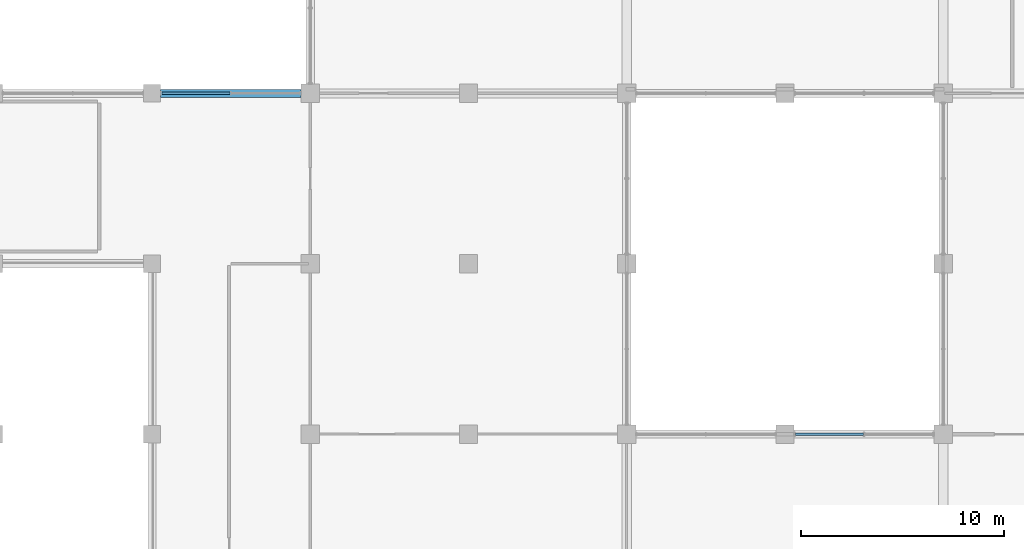
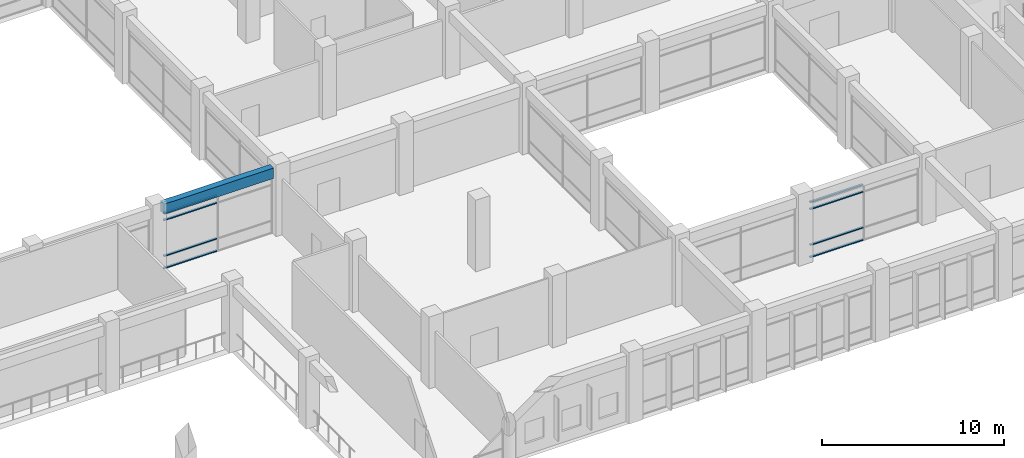
# One storey, part 22 of 79: 8 members, 1 beam, 2 elements without a shape of their own.
"""IFC4 building model written with IfcOpenShell, lengths in metres."""

from ifc_helpers import new_model, si_unit, direction, frame, origin, origin_2d, place, context, subcontext, project, spatial, rectangle, hollow_rectangle, extrude, material, material_profile, profile_set, type_object, element, aggregate, save


model = new_model("IFC4")

# Units and contexts
model_context = context("Model", 3, precision=1e-05, world=origin(), true_north=direction((0.0, 1.0)))
body_context = subcontext(model_context, "Body", "Model", "MODEL_VIEW")
ifc_project = project(units=[si_unit("LENGTHUNIT", "METRE"), si_unit("AREAUNIT", "SQUARE_METRE"), si_unit("VOLUMEUNIT", "CUBIC_METRE"), si_unit("PLANEANGLEUNIT", "RADIAN"), si_unit("MASSUNIT", "GRAM", prefix="KILO"), si_unit("THERMODYNAMICTEMPERATUREUNIT", "KELVIN"), si_unit("POWERUNIT", "WATT")], contexts=[model_context])

# Site, building, storey
site_placement = place(None, origin())
site = spatial("IfcSite", under=ifc_project, at=site_placement, CompositionType="ELEMENT")
building_placement = place(site_placement, origin())
building = spatial("IfcBuilding", under=site, at=building_placement, Name="Srebrne Nadtorze General Hospital", CompositionType="ELEMENT")
storey_placement = place(building_placement, frame((0.0, 0.0, 4.800048828125)))
storey = spatial("IfcBuildingStorey", under=building, at=storey_placement, Name="L01", CompositionType="ELEMENT", Elevation=4.800048828125)

# Curtain wall, members
ifc_material_1 = material(Name="Anodised Aluminium", Category="aluminium")
curtain_wall_type_1 = type_object("IfcCurtainWallType", Name="Unitised curtain wall 6900x3750", PredefinedType="NOTDEFINED", material=ifc_material_1)
curtain_wall_1_placement = place(storey_placement, origin())
curtain_wall_1 = element("IfcCurtainWall", 1, at=curtain_wall_1_placement, inside=storey, type_object=curtain_wall_type_1, Name="Curtain wall CW-041", PredefinedType="NOTDEFINED")
ifc_material_2 = material(Name="Anodised Aluminium", Category="aluminium")
ifc_material_profile_1 = material_profile(ifc_material_2, hollow_rectangle(XDim=0.06494140625, YDim=0.139892578125, WallThickness=0.00390625, at=origin_2d()), Name="AL-TRN-65x140")
ifc_profile_set_1 = profile_set([ifc_material_profile_1], Name="Anodised Aluminium")
member_type = type_object("IfcMemberType", Name="Curtain transom 65x140", PredefinedType="USERDEFINED", material=ifc_profile_set_1)
member_1_placement = place(storey_placement, frame((125.31494140625, 8.39990234375, 0.032470703125), z_axis=(1.0, 0.0, 0.0), x_axis=(0.0, 0.0, 1.0)))
member_1 = element("IfcMember", 2, at=member_1_placement, type_object=member_type, Name="CW-041 transom 1.1", ObjectType="TRANSOM", PredefinedType="USERDEFINED", context=body_context, shape_type="SweptSolid", body=[
    extrude(hollow_rectangle(XDim=0.06494140625, YDim=0.139892578125, WallThickness=0.00390625, at=origin_2d()), origin(), (0.0, 0.0, 1.0), 3.3525390625),
])
member_2_placement = place(storey_placement, frame((125.31494140625, 8.39990234375, 0.849853515625), z_axis=(1.0, 0.0, 0.0), x_axis=(0.0, 0.0, 1.0)))
member_2 = element("IfcMember", 3, at=member_2_placement, type_object=member_type, Name="CW-041 transom 1.2", ObjectType="TRANSOM", PredefinedType="USERDEFINED", context=body_context, shape_type="SweptSolid", body=[
    extrude(hollow_rectangle(XDim=0.06494140625, YDim=0.139892578125, WallThickness=0.00390625, at=origin_2d()), origin(), (0.0, 0.0, 1.0), 3.3525390625),
])
member_3_placement = place(storey_placement, frame((125.31494140625, 8.39990234375, 3.25), z_axis=(1.0, 0.0, 0.0), x_axis=(0.0, 0.0, 1.0)))
member_3 = element("IfcMember", 4, at=member_3_placement, type_object=member_type, Name="CW-041 transom 1.3", ObjectType="TRANSOM", PredefinedType="USERDEFINED", context=body_context, shape_type="SweptSolid", body=[
    extrude(hollow_rectangle(XDim=0.06494140625, YDim=0.139892578125, WallThickness=0.00390625, at=origin_2d()), origin(), (0.0, 0.0, 1.0), 3.3525390625),
])
member_4_placement = place(storey_placement, frame((125.31494140625, 8.39990234375, 3.717529296875), z_axis=(1.0, 0.0, 0.0), x_axis=(0.0, 0.0, 1.0)))
member_4 = element("IfcMember", 5, at=member_4_placement, type_object=member_type, Name="CW-041 transom 1.4", ObjectType="TRANSOM", PredefinedType="USERDEFINED", context=body_context, shape_type="SweptSolid", body=[
    extrude(hollow_rectangle(XDim=0.06494140625, YDim=0.139892578125, WallThickness=0.00390625, at=origin_2d()), origin(), (0.0, 0.0, 1.0), 3.3525390625),
])
aggregate(curtain_wall_1, [member_1, member_2, member_3, member_4])

ifc_material_3 = material(Name="Anodised Aluminium", Category="aluminium")
curtain_wall_type_2 = type_object("IfcCurtainWallType", Name="Unitised curtain wall 6925x3750", PredefinedType="NOTDEFINED", material=ifc_material_3)
curtain_wall_2_placement = place(storey_placement, origin())
curtain_wall_2 = element("IfcCurtainWall", 6, at=curtain_wall_2_placement, inside=storey, type_object=curtain_wall_type_2, Name="Curtain wall CW-047", PredefinedType="NOTDEFINED")
member_5_placement = place(storey_placement, frame((94.090087890625, 25.199951171875, 0.032470703125), z_axis=(1.0, 0.0, 0.0), x_axis=(0.0, 0.0, 1.0)))
member_5 = element("IfcMember", 7, at=member_5_placement, type_object=member_type, Name="CW-047 transom 1.1", ObjectType="TRANSOM", PredefinedType="USERDEFINED", context=body_context, shape_type="SweptSolid", body=[
    extrude(hollow_rectangle(XDim=0.06494140625, YDim=0.139892578125, WallThickness=0.00390625, at=origin_2d()), origin(), (0.0, 0.0, 1.0), 3.364990234375),
])
member_6_placement = place(storey_placement, frame((94.090087890625, 25.199951171875, 0.849853515625), z_axis=(1.0, 0.0, 0.0), x_axis=(0.0, 0.0, 1.0)))
member_6 = element("IfcMember", 8, at=member_6_placement, type_object=member_type, Name="CW-047 transom 1.2", ObjectType="TRANSOM", PredefinedType="USERDEFINED", context=body_context, shape_type="SweptSolid", body=[
    extrude(hollow_rectangle(XDim=0.06494140625, YDim=0.139892578125, WallThickness=0.00390625, at=origin_2d()), origin(), (0.0, 0.0, 1.0), 3.364990234375),
])
member_7_placement = place(storey_placement, frame((94.090087890625, 25.199951171875, 3.25), z_axis=(1.0, 0.0, 0.0), x_axis=(0.0, 0.0, 1.0)))
member_7 = element("IfcMember", 9, at=member_7_placement, type_object=member_type, Name="CW-047 transom 1.3", ObjectType="TRANSOM", PredefinedType="USERDEFINED", context=body_context, shape_type="SweptSolid", body=[
    extrude(hollow_rectangle(XDim=0.06494140625, YDim=0.139892578125, WallThickness=0.00390625, at=origin_2d()), origin(), (0.0, 0.0, 1.0), 3.364990234375),
])
member_8_placement = place(storey_placement, frame((94.090087890625, 25.199951171875, 3.717529296875), z_axis=(1.0, 0.0, 0.0), x_axis=(0.0, 0.0, 1.0)))
member_8 = element("IfcMember", 10, at=member_8_placement, type_object=member_type, Name="CW-047 transom 1.4", ObjectType="TRANSOM", PredefinedType="USERDEFINED", context=body_context, shape_type="SweptSolid", body=[
    extrude(hollow_rectangle(XDim=0.06494140625, YDim=0.139892578125, WallThickness=0.00390625, at=origin_2d()), origin(), (0.0, 0.0, 1.0), 3.364990234375),
])
aggregate(curtain_wall_2, [member_5, member_6, member_7, member_8])

# Beam
ifc_material_4 = material(Name="Concrete C40/50", Category="concrete")
ifc_material_profile_2 = material_profile(ifc_material_4, rectangle(XDim=0.39990234375, YDim=0.699951171875, at=origin_2d()), Name="RC-BM-400x700")
ifc_profile_set_2 = profile_set([ifc_material_profile_2], Name="Concrete C40/50")
beam_type = type_object("IfcBeamType", Name="Edge beam RC 400x700", PredefinedType="BEAM", material=ifc_profile_set_2)
beam_placement = place(storey_placement, frame((94.02490234375, 25.199951171875, 4.099853515625), z_axis=(1.0, 0.0, 0.0), x_axis=(0.0, 1.0, 0.0)))
element("IfcBeam", 11, at=beam_placement, inside=storey, type_object=beam_type, Name="Beam BM-L01-X-0393", PredefinedType="BEAM", context=body_context, shape_type="SweptSolid", body=[
    extrude(rectangle(XDim=0.39990234375, YDim=0.699951171875, at=origin_2d()), origin(), (0.0, 0.0, 1.0), 6.925048828125),
])

save(model, "model.ifc")
